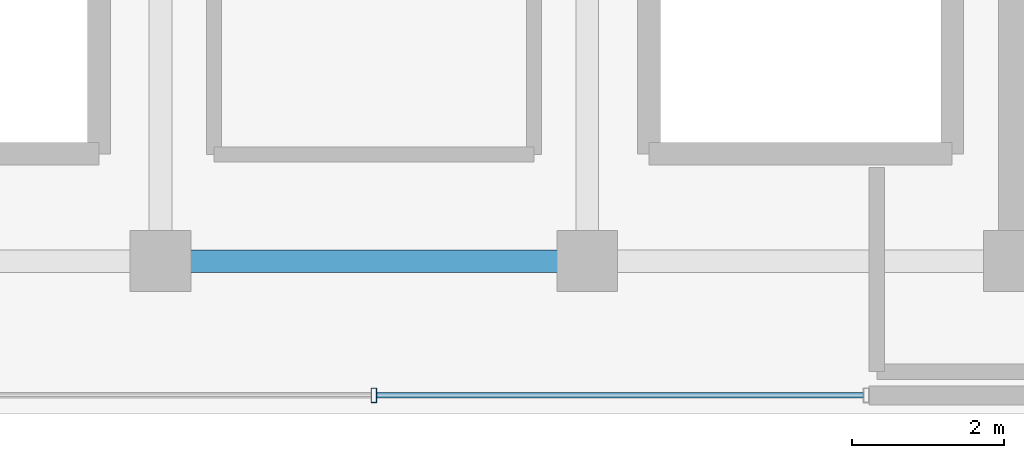
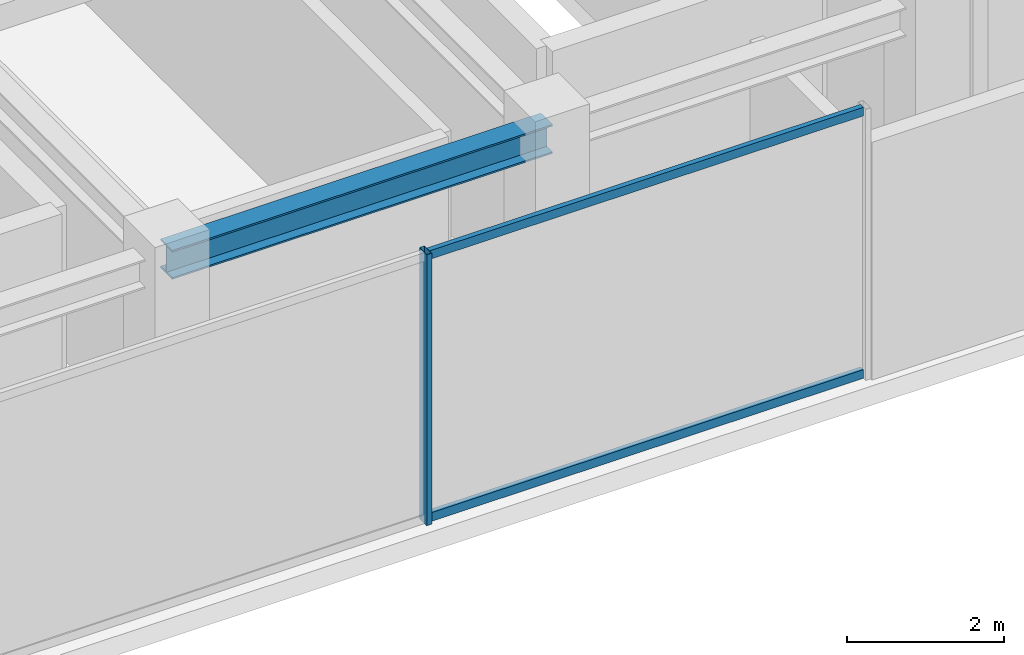
# One storey, part 4 of 21: 3 members, 1 beam, 1 element without a shape of its own.
"""IFC4 building model written with IfcOpenShell, lengths in metres."""

from ifc_helpers import new_model, si_unit, direction, frame, origin, origin_2d, place, context, subcontext, project, spatial, hollow_rectangle, i_section, extrude, source, transform, mapped, material, material_profile, profile_set, type_object, element, aggregate, save


model = new_model("IFC4")

# Units and contexts
model_context = context("Model", 3, precision=1e-05, world=origin(), true_north=direction((0.0, 1.0)))
body_context = subcontext(model_context, "Body", "Model", "MODEL_VIEW")
ifc_project = project(units=[si_unit("LENGTHUNIT", "METRE"), si_unit("AREAUNIT", "SQUARE_METRE"), si_unit("VOLUMEUNIT", "CUBIC_METRE"), si_unit("PLANEANGLEUNIT", "RADIAN"), si_unit("MASSUNIT", "GRAM", prefix="KILO")], contexts=[model_context])

# Site, building, storey
site_placement = place(None, origin())
site = spatial("IfcSite", under=ifc_project, at=site_placement, CompositionType="ELEMENT")
building_placement = place(site_placement, origin())
building = spatial("IfcBuilding", under=site, at=building_placement, Name="Nahalor Promenade Grand Hotel", CompositionType="ELEMENT")
storey_placement = place(building_placement, frame((0.0, 0.0, 370.85009765625)))
storey = spatial("IfcBuildingStorey", under=building, at=storey_placement, Name="L94", CompositionType="ELEMENT", Elevation=370.85009765625)

# Beam
ifc_material_1 = material(Name="Steel S355JR", Category="steel")
ifc_material_profile_1 = material_profile(ifc_material_1, i_section(OverallWidth=0.3, OverallDepth=0.45, WebThickness=0.014, FlangeThickness=0.026, at=origin_2d()), Name="HEB 450")
ifc_profile_set_1 = profile_set([ifc_material_profile_1], Name="Steel S355JR")
beam_type = type_object("IfcBeamType", Name="Beam-Girder-HEB450", PredefinedType="BEAM", material=ifc_profile_set_1)
shared_shape_1 = source(origin(), body_context, "Body", "SweptSolid", [
    extrude(i_section(OverallWidth=0.3, OverallDepth=0.45, WebThickness=0.014, FlangeThickness=0.026, at=origin_2d()), origin(), (0.0, 0.0, 1.0), 5.60009765625),
])
beam_placement = place(storey_placement, frame((-2.800048828125, -17.0, 3.994873046875), z_axis=(1.0, 0.0, 0.0), x_axis=(0.0, 1.0, 0.0)))
element("IfcBeam", 1, at=beam_placement, inside=storey, type_object=beam_type, Name="BM-L94-GX-0-2", PredefinedType="BEAM", context=body_context, shape_type="MappedRepresentation", body=[
    mapped(shared_shape_1, transform((0.0, 0.0, 0.0), scale=1.0)),
])

# Curtain wall, members
ifc_material_2 = material(Name="Anodised Bronze Aluminium EN AW-6063 T6", Category="aluminium")
curtain_wall_type = type_object("IfcCurtainWallType", Name="CW6 Crown Botanical Conservatory Curtain Wall", PredefinedType="USERDEFINED", material=ifc_material_2)
curtain_wall_placement = place(storey_placement, origin())
curtain_wall = element("IfcCurtainWall", 2, at=curtain_wall_placement, inside=storey, type_object=curtain_wall_type, Name="L94 Curtain Wall CW-L94-S", ObjectType="UNITISED_CURTAIN_WALL", PredefinedType="USERDEFINED")
ifc_material_profile_2 = material_profile(ifc_material_2, hollow_rectangle(XDim=0.075, YDim=0.135, WallThickness=0.004, at=origin_2d()), Name="CWT 75x135x4")
ifc_profile_set_2 = profile_set([ifc_material_profile_2], Name="Anodised Bronze Aluminium EN AW-6063 T6")
member_type_1 = type_object("IfcMemberType", Name="CWT6 Conservatory Transom 75x135", PredefinedType="USERDEFINED", material=ifc_profile_set_2)
shared_shape_2 = source(origin(), body_context, "Body", "SweptSolid", [
    extrude(hollow_rectangle(XDim=0.075, YDim=0.135, WallThickness=0.004, at=origin_2d()), origin(), (0.0, 0.0, 1.0), 6.387451171875),
])
member_1_placement = place(storey_placement, frame((0.03759765625, -18.760009765625, 0.0673828125), z_axis=(1.0, 0.0, 0.0), x_axis=(0.0, 1.0, 0.0)))
member_1 = element("IfcMember", 3, at=member_1_placement, type_object=member_type_1, Name="CW-L94-S Transom 1-0", ObjectType="TRANSOM", PredefinedType="USERDEFINED", context=body_context, shape_type="MappedRepresentation", body=[
    mapped(shared_shape_2, transform((0.0, 0.0, 0.0), scale=1.0)),
])
member_2_placement = place(storey_placement, frame((0.03759765625, -18.760009765625, 4.15234375), z_axis=(1.0, 0.0, 0.0), x_axis=(0.0, 1.0, 0.0)))
member_2 = element("IfcMember", 4, at=member_2_placement, type_object=member_type_1, Name="CW-L94-S Transom 1-1", ObjectType="TRANSOM", PredefinedType="USERDEFINED", context=body_context, shape_type="MappedRepresentation", body=[
    mapped(shared_shape_2, transform((0.0, 0.0, 0.0), scale=1.0)),
])
ifc_material_profile_3 = material_profile(ifc_material_2, hollow_rectangle(XDim=0.075, YDim=0.19, WallThickness=0.005, at=origin_2d()), Name="CWM 75x190x5")
ifc_profile_set_3 = profile_set([ifc_material_profile_3], Name="Anodised Bronze Aluminium EN AW-6063 T6")
member_type_2 = type_object("IfcMemberType", Name="CWM6 Conservatory Bronze Mullion 75x190", PredefinedType="MULLION", material=ifc_profile_set_3)
shared_shape_3 = source(origin(), body_context, "Body", "SweptSolid", [
    extrude(hollow_rectangle(XDim=0.075, YDim=0.19, WallThickness=0.005, at=origin_2d()), origin(), (0.0, 0.0, 1.0), 4.219970703125),
])
member_3_placement = place(storey_placement, frame((0.0, -18.760009765625, 0.0), z_axis=(0.0, 0.0, 1.0), x_axis=(1.0, 0.0, 0.0)))
member_3 = element("IfcMember", 5, at=member_3_placement, type_object=member_type_2, Name="CW-L94-S Mullion 1", PredefinedType="MULLION", context=body_context, shape_type="MappedRepresentation", body=[
    mapped(shared_shape_3, transform((0.0, 0.0, 0.0), scale=1.0)),
])
aggregate(curtain_wall, [member_3, member_1, member_2])

save(model, "model.ifc")
